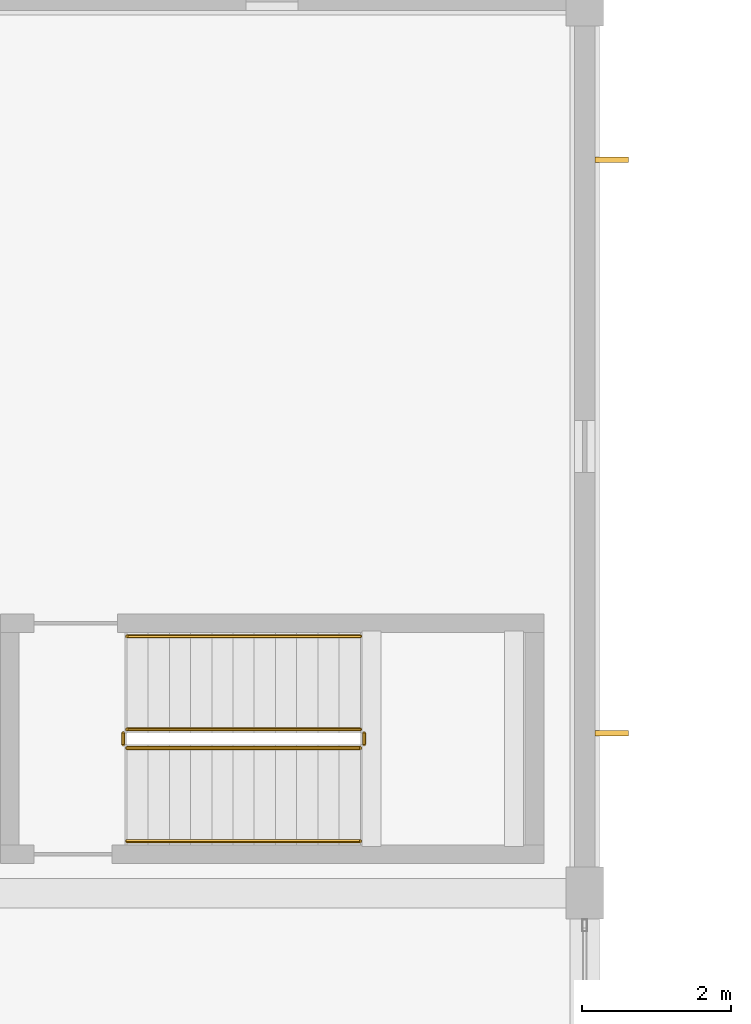
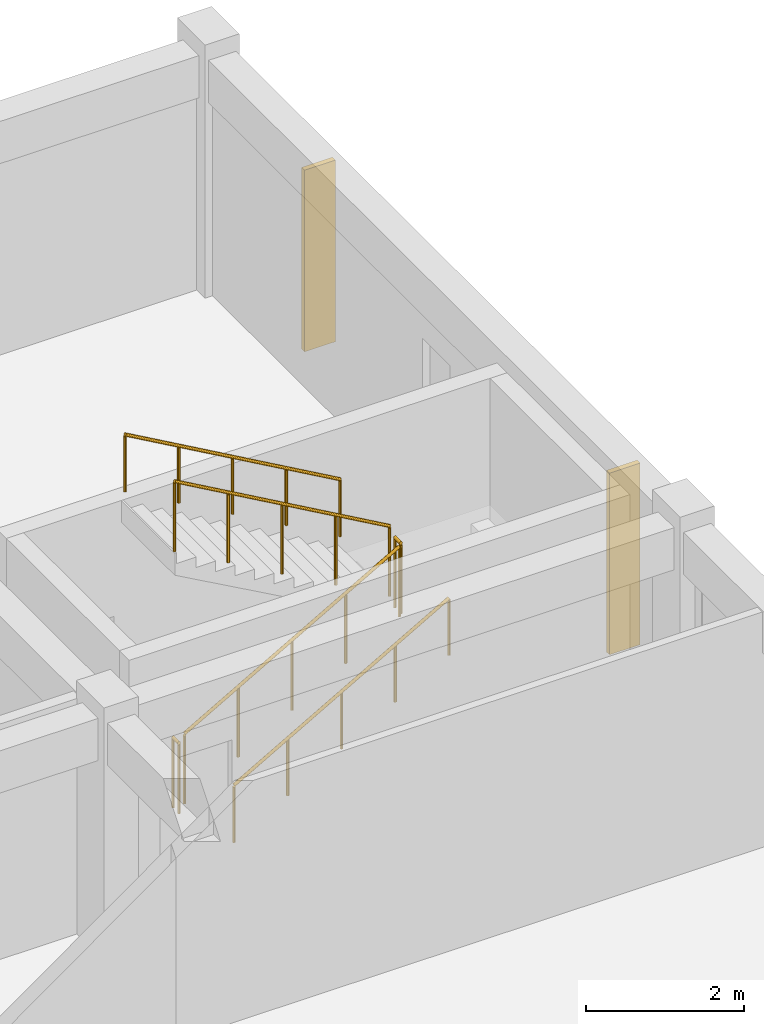
# One storey, part 114 of 150: 6 railings, 2 shading devices.
"""IFC4 building model written with IfcOpenShell, lengths in metres."""

from ifc_helpers import new_model, si_unit, direction, frame, origin, origin_2d, place, context, subcontext, project, spatial, rectangle, circle, extrude, material, layer, layer_set, type_object, element, save


model = new_model("IFC4")

# Units and contexts
model_context = context("Model", 3, precision=1e-05, world=origin(), true_north=direction((0.0, 1.0)))
body_context = subcontext(model_context, "Body", "Model", "MODEL_VIEW")
ifc_project = project(units=[si_unit("LENGTHUNIT", "METRE"), si_unit("AREAUNIT", "SQUARE_METRE"), si_unit("VOLUMEUNIT", "CUBIC_METRE"), si_unit("PLANEANGLEUNIT", "RADIAN"), si_unit("MASSUNIT", "GRAM", prefix="KILO")], contexts=[model_context])

# Site, building, storey
site_placement = place(None, origin())
site = spatial("IfcSite", under=ifc_project, at=site_placement, CompositionType="ELEMENT")
building_placement = place(site_placement, origin())
building = spatial("IfcBuilding", under=site, at=building_placement, Name="Kestramere Prow Commons", CompositionType="ELEMENT")
storey_placement = place(building_placement, frame((0.0, 0.0, 4.5)))
storey = spatial("IfcBuildingStorey", under=building, at=storey_placement, Name="L01", CompositionType="ELEMENT", Elevation=4.5)

# Railings
ifc_material_1 = material(Name="Galvanised Steel S275JR", Category="steel")
railing_type_1 = type_object("IfcRailingType", Name="RL-ST-GR-1100", PredefinedType="GUARDRAIL", material=ifc_material_1)
railing_1_placement = place(storey_placement, frame((105.85009765625, 13.949951171875, 0.16259765625)))
element("IfcRailing", 1, at=railing_1_placement, inside=storey, type_object=railing_type_1, Name="L01 ST-M2 stair guard 1", PredefinedType="GUARDRAIL", context=body_context, shape_type="SweptSolid", body=[
    extrude(circle(Radius=0.02392578125, at=origin_2d()), frame((0.0, 0.0, 1.076171875), z_axis=(0.868729823959, 0.0, 0.495286273749), x_axis=(0.0, 1.0, 0.0)), (0.0, 0.0, 1.0), 3.608642578125),
    extrude(circle(Radius=0.02099609375, at=origin_2d()), origin(), (0.0, 0.0, 1.0), 1.052001953125),
    extrude(circle(Radius=0.02099609375, at=origin_2d()), frame((0.78369140625, 0.0, 0.44677734375)), (0.0, 0.0, 1.0), 1.052001953125),
    extrude(circle(Radius=0.02099609375, at=origin_2d()), frame((1.5673828125, 0.0, 0.8935546875)), (0.0, 0.0, 1.0), 1.052001953125),
    extrude(circle(Radius=0.02099609375, at=origin_2d()), frame((2.351318359375, 0.0, 1.340576171875)), (0.0, 0.0, 1.0), 1.052001953125),
    extrude(circle(Radius=0.02099609375, at=origin_2d()), frame((3.135009765625, 0.0, 1.787353515625)), (0.0, 0.0, 1.0), 1.052001953125),
])
railing_2_placement = place(storey_placement, frame((109.034912109375, 14.0, 1.949951171875)))
element("IfcRailing", 2, at=railing_2_placement, inside=storey, type_object=railing_type_1, Name="L01 ST-M2 stair guard 2", PredefinedType="GUARDRAIL", context=body_context, shape_type="SweptSolid", body=[
    extrude(circle(Radius=0.02392578125, at=origin_2d()), frame((0.0, 0.0, 1.076171875), z_axis=(0.0, 1.0, 0.0), x_axis=(-1.0, 0.0, 0.0)), (0.0, 0.0, 1.0), 0.14990234375),
    extrude(circle(Radius=0.02099609375, at=origin_2d()), origin(), (0.0, 0.0, 1.0), 1.052001953125),
    extrude(circle(Radius=0.02099609375, at=origin_2d()), frame((0.0, 0.14990234375, 0.0)), (0.0, 0.0, 1.0), 1.052001953125),
])
railing_3_placement = place(storey_placement, frame((108.985107421875, 14.199951171875, 2.112548828125)))
element("IfcRailing", 3, at=railing_3_placement, inside=storey, type_object=railing_type_1, Name="L01 ST-M2 stair guard 3", PredefinedType="GUARDRAIL", context=body_context, shape_type="SweptSolid", body=[
    extrude(circle(Radius=0.02392578125, at=origin_2d()), frame((0.0, 0.0, 1.076171875), z_axis=(-0.868729823959, 0.0, 0.495286273749), x_axis=(0.0, -1.0, 0.0)), (0.0, 0.0, 1.0), 3.608642578125),
    extrude(circle(Radius=0.02099609375, at=origin_2d()), origin(), (0.0, 0.0, 1.0), 1.052001953125),
    extrude(circle(Radius=0.02099609375, at=origin_2d()), frame((-0.78369140625, 0.0, 0.44677734375)), (0.0, 0.0, 1.0), 1.052001953125),
    extrude(circle(Radius=0.02099609375, at=origin_2d()), frame((-1.5673828125, 0.0, 0.8935546875)), (0.0, 0.0, 1.0), 1.052001953125),
    extrude(circle(Radius=0.02099609375, at=origin_2d()), frame((-2.351318359375, 0.0, 1.340576171875)), (0.0, 0.0, 1.0), 1.052001953125),
    extrude(circle(Radius=0.02099609375, at=origin_2d()), frame((-3.135009765625, 0.0, 1.787353515625)), (0.0, 0.0, 1.0), 1.052001953125),
])
railing_4_placement = place(storey_placement, frame((105.800048828125, 14.0, 0.0)))
element("IfcRailing", 4, at=railing_4_placement, inside=storey, type_object=railing_type_1, Name="L01 ST-M2 stair guard 4", PredefinedType="GUARDRAIL", context=body_context, shape_type="SweptSolid", body=[
    extrude(circle(Radius=0.02392578125, at=origin_2d()), frame((0.0, 0.0, 1.076171875), z_axis=(0.0, 1.0, 0.0), x_axis=(-1.0, 0.0, 0.0)), (0.0, 0.0, 1.0), 0.14990234375),
    extrude(circle(Radius=0.02099609375, at=origin_2d()), origin(), (0.0, 0.0, 1.0), 1.052001953125),
    extrude(circle(Radius=0.02099609375, at=origin_2d()), frame((0.0, 0.14990234375, 0.0)), (0.0, 0.0, 1.0), 1.052001953125),
])
ifc_material_2 = material(Name="Stainless Steel 304", Category="steel")
railing_type_2 = type_object("IfcRailingType", Name="RL-ST-HR-900", PredefinedType="HANDRAIL", material=ifc_material_2)
railing_5_placement = place(storey_placement, frame((105.85009765625, 12.699951171875, 0.324951171875)))
element("IfcRailing", 5, at=railing_5_placement, inside=storey, type_object=railing_type_2, Name="L01 ST-M2 stair handrail 1", PredefinedType="HANDRAIL", context=body_context, shape_type="SweptSolid", body=[
    extrude(circle(Radius=0.02392578125, at=origin_2d()), frame((0.0, 0.0, 0.8759765625), z_axis=(0.86870071446, 0.0, 0.495337328189), x_axis=(0.0, 1.0, 0.0)), (0.0, 0.0, 1.0), 3.60888671875),
    extrude(circle(Radius=0.02099609375, at=origin_2d()), origin(), (0.0, 0.0, 1.0), 0.851806640625),
    extrude(circle(Radius=0.02099609375, at=origin_2d()), frame((0.78369140625, 0.0, 0.44677734375)), (0.0, 0.0, 1.0), 0.851806640625),
    extrude(circle(Radius=0.02099609375, at=origin_2d()), frame((1.5673828125, 0.0, 0.893798828125)), (0.0, 0.0, 1.0), 0.851806640625),
    extrude(circle(Radius=0.02099609375, at=origin_2d()), frame((2.351318359375, 0.0, 1.3408203125)), (0.0, 0.0, 1.0), 0.851806640625),
    extrude(circle(Radius=0.02099609375, at=origin_2d()), frame((3.135009765625, 0.0, 1.78759765625)), (0.0, 0.0, 1.0), 0.851806640625),
])
railing_6_placement = place(storey_placement, frame((108.985107421875, 15.449951171875, 2.27490234375)))
element("IfcRailing", 6, at=railing_6_placement, inside=storey, type_object=railing_type_2, Name="L01 ST-M2 stair handrail 2", PredefinedType="HANDRAIL", context=body_context, shape_type="SweptSolid", body=[
    extrude(circle(Radius=0.02392578125, at=origin_2d()), frame((0.0, 0.0, 0.8759765625), z_axis=(-0.86870071446, 0.0, 0.495337328189), x_axis=(0.0, -1.0, 0.0)), (0.0, 0.0, 1.0), 3.60888671875),
    extrude(circle(Radius=0.02099609375, at=origin_2d()), origin(), (0.0, 0.0, 1.0), 0.851806640625),
    extrude(circle(Radius=0.02099609375, at=origin_2d()), frame((-0.78369140625, 0.0, 0.44677734375)), (0.0, 0.0, 1.0), 0.851806640625),
    extrude(circle(Radius=0.02099609375, at=origin_2d()), frame((-1.5673828125, 0.0, 0.893798828125)), (0.0, 0.0, 1.0), 0.851806640625),
    extrude(circle(Radius=0.02099609375, at=origin_2d()), frame((-2.351318359375, 0.0, 1.3408203125)), (0.0, 0.0, 1.0), 0.851806640625),
    extrude(circle(Radius=0.02099609375, at=origin_2d()), frame((-3.135009765625, 0.0, 1.78759765625)), (0.0, 0.0, 1.0), 0.851806640625),
])

# Shading devices
ifc_material_3 = material(Name="Weathered Bronze-Anodised Aluminium", Category="aluminium")
ifc_layer = layer(ifc_material_3, 0.074951171875)
ifc_layer_set = layer_set([ifc_layer], Name="Weathered Bronze-Anodised Aluminium")
shading_device_type = type_object("IfcShadingDeviceType", Name="SHD-VFIN-450", PredefinedType="USERDEFINED", material=ifc_layer_set)
for number, where, z_axis, x_axis, name in (
    (7, (112.364990234375, 14.14990234375, 0.14990234375), (0.0, 0.0, 1.0), (1.0, 0.0, 0.0), "Market L01 E Vertical Fin 2-1"),
    (8, (112.364990234375, 21.85009765625, 0.14990234375), (0.0, 0.0, 1.0), (1.0, 0.0, 0.0), "Market L01 E Vertical Fin 2-2"),
):
    element("IfcShadingDevice", number, at=place(storey_placement, frame(where, z_axis=z_axis, x_axis=x_axis)), inside=storey, type_object=shading_device_type, Name=name, ObjectType="VERTICAL FIN", PredefinedType="USERDEFINED", context=body_context, shape_type="SweptSolid", body=[
        extrude(rectangle(XDim=0.449951171875, YDim=0.074951171875, at=origin_2d()), origin(), (0.0, 0.0, 1.0), 2.800048828125),
    ])

save(model, "model.ifc")
